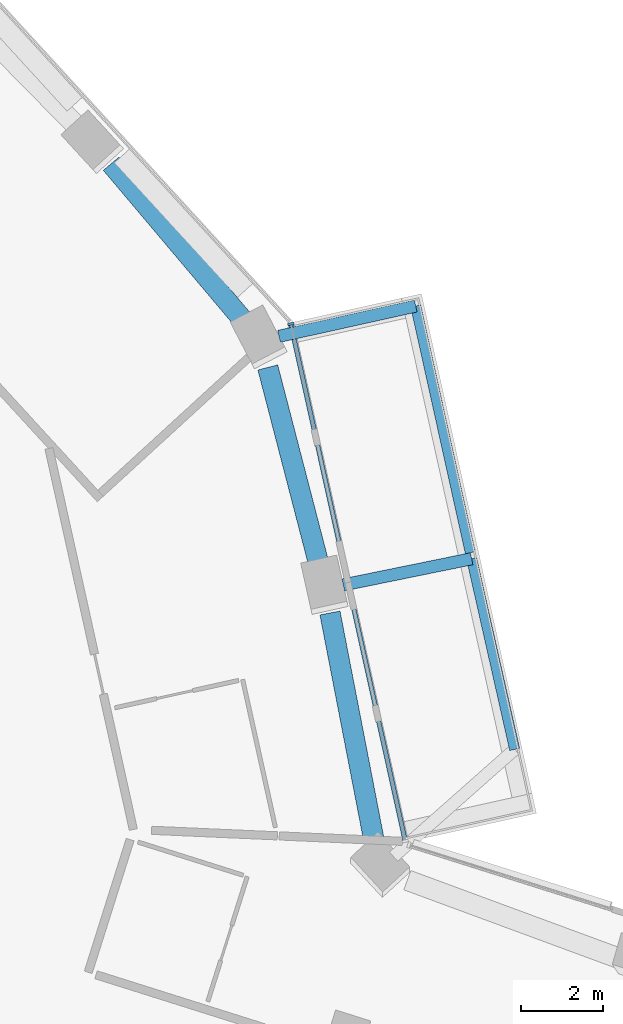
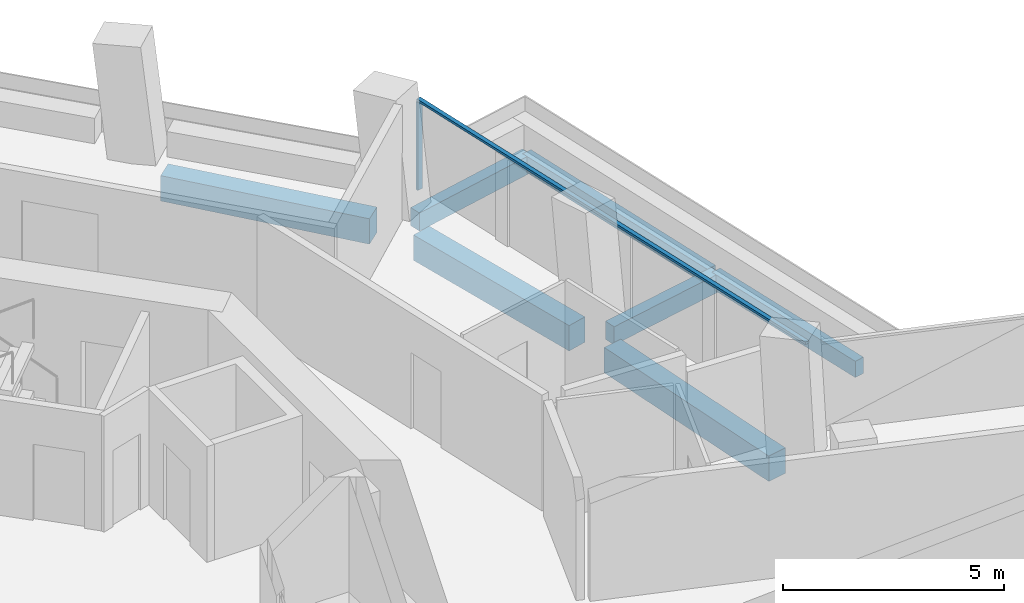
# One storey, part 8 of 24: 7 beams, 2 members, 1 element without a shape of its own.
"""IFC4 building model written with IfcOpenShell, lengths in metres."""

from ifc_helpers import new_model, si_unit, direction, frame, origin, origin_2d, place, context, subcontext, project, spatial, rectangle, extrude, material, layer, layer_set, material_profile, profile_set, type_object, element, aggregate, save


model = new_model("IFC4")

# Units and contexts
model_context = context("Model", 3, precision=1e-05, world=origin(), true_north=direction((0.0, 1.0)))
body_context = subcontext(model_context, "Body", "Model", "MODEL_VIEW")
ifc_project = project(units=[si_unit("LENGTHUNIT", "METRE"), si_unit("AREAUNIT", "SQUARE_METRE"), si_unit("VOLUMEUNIT", "CUBIC_METRE"), si_unit("PLANEANGLEUNIT", "RADIAN"), si_unit("MASSUNIT", "GRAM", prefix="KILO")], contexts=[model_context])

# Site, building, storey
site_placement = place(None, origin())
site = spatial("IfcSite", under=ifc_project, at=site_placement, CompositionType="ELEMENT")
building_placement = place(site_placement, origin())
building = spatial("IfcBuilding", under=site, at=building_placement, Name="Verdalira Terraces Hotel", CompositionType="ELEMENT")
storey_placement = place(building_placement, frame((0.0, 0.0, 86.0)))
storey = spatial("IfcBuildingStorey", under=building, at=storey_placement, Name="L19", CompositionType="ELEMENT", Elevation=86.0)

# Beams
ifc_material_1 = material(Name="Concrete C40", Category="concrete")
ifc_material_profile_1 = material_profile(ifc_material_1, rectangle(XDim=0.300049, YDim=0.5, at=origin_2d()), Name="RC 300X500")
ifc_profile_set_1 = profile_set([ifc_material_profile_1], Name="Concrete C40")
beam_type_1 = type_object("IfcBeamType", Name="Balcony cantilever beam RC 300X500 C40", PredefinedType="BEAM", material=ifc_profile_set_1)
beam_1_placement = place(storey_placement, frame((23.496582, 5.16748, -0.560059), z_axis=(0.979843383, 0.199767229, 0.0), x_axis=(-0.199767229, 0.979843383, 0.0)))
element("IfcBeam", 1, at=beam_1_placement, inside=storey, type_object=beam_type_1, Name="Balcony cantilever beam R39-2", PredefinedType="BEAM", context=body_context, shape_type="SweptSolid", body=[
    extrude(rectangle(XDim=0.300049, YDim=0.5, at=origin_2d()), origin(), (0.0, 0.0, 1.0), 3.200684),
])
beam_2_placement = place(storey_placement, frame((21.92749, 11.241211, -0.560059), z_axis=(0.976369814, 0.216106422, 0.0), x_axis=(-0.216106422, 0.976369814, 0.0)))
element("IfcBeam", 2, at=beam_2_placement, inside=storey, type_object=beam_type_1, Name="Balcony cantilever beam R39-3", PredefinedType="BEAM", context=body_context, shape_type="SweptSolid", body=[
    extrude(rectangle(XDim=0.300049, YDim=0.5, at=origin_2d()), origin(), (0.0, 0.0, 1.0), 3.419678),
])
ifc_material_2 = material(Name="Concrete C40", Category="concrete")
ifc_material_profile_2 = material_profile(ifc_material_2, rectangle(XDim=0.25, YDim=0.449951, at=origin_2d()), Name="RC 250X450")
ifc_profile_set_2 = profile_set([ifc_material_profile_2], Name="Concrete C40")
beam_type_2 = type_object("IfcBeamType", Name="Balcony edge beam RC 250X450 C40", PredefinedType="BEAM", material=ifc_profile_set_2)
beam_3_placement = place(storey_placement, frame((27.683838, 1.147705, -0.534912), z_axis=(-0.220052204, 0.975488097, 0.0), x_axis=(-0.975488097, -0.220052204, 0.0)))
element("IfcBeam", 3, at=beam_3_placement, inside=storey, type_object=beam_type_2, Name="Balcony edge beam R39-1", PredefinedType="BEAM", context=body_context, shape_type="SweptSolid", body=[
    extrude(rectangle(XDim=0.25, YDim=0.449951, at=origin_2d()), origin(), (0.0, 0.0, 1.0), 4.776367),
])
beam_4_placement = place(storey_placement, frame((26.600342, 5.953369, -0.534912), z_axis=(-0.216109571, 0.976369117, 0.0), x_axis=(-0.976369117, -0.216109571, 0.0)))
element("IfcBeam", 4, at=beam_4_placement, inside=storey, type_object=beam_type_2, Name="Balcony edge beam R39-2", PredefinedType="BEAM", context=body_context, shape_type="SweptSolid", body=[
    extrude(rectangle(XDim=0.25, YDim=0.449951, at=origin_2d()), origin(), (0.0, 0.0, 1.0), 6.172607),
])

# Curtain wall, members
ifc_material_3 = material(Name="Clear glass", Category="glass")
ifc_layer = layer(ifc_material_3, 0.14990234375)
ifc_layer_set = layer_set([ifc_layer], Name="CW1 curtain wall")
curtain_wall_type = type_object("IfcCurtainWallType", Name="CW1 curtain wall", PredefinedType="NOTDEFINED", material=ifc_layer_set)
curtain_wall_placement = place(storey_placement, origin())
curtain_wall = element("IfcCurtainWall", 5, at=curtain_wall_placement, inside=storey, type_object=curtain_wall_type, Name="CW1 curtain wall L19 edge 39", PredefinedType="NOTDEFINED")
ifc_material_4 = material(Name="Terracotta frame", Category="masonry")
ifc_material_profile_3 = material_profile(ifc_material_4, rectangle(XDim=0.060059, YDim=0.149902, at=origin_2d()), Name="MU 60x150")
ifc_profile_set_3 = profile_set([ifc_material_profile_3], Name="Terracotta frame")
member_type_1 = type_object("IfcMemberType", Name="CW1 mullion 60x150", PredefinedType="MULLION", material=ifc_profile_set_3)
member_1_placement = place(storey_placement, frame((22.213867, 11.543213, 0.0), z_axis=(0.0, 0.0, 1.0), x_axis=(-0.216098809, 0.976371499, 0.0)))
member_1 = element("IfcMember", 6, at=member_1_placement, type_object=member_type_1, Name="CW1 mullion", PredefinedType="MULLION", context=body_context, shape_type="SweptSolid", body=[
    extrude(rectangle(XDim=0.060059, YDim=0.149902, at=origin_2d()), origin(), (0.0, 0.0, 1.0), 2.425049),
])
ifc_material_5 = material(Name="Terracotta frame", Category="masonry")
ifc_material_profile_4 = material_profile(ifc_material_5, rectangle(XDim=0.110107, YDim=0.064941, at=origin_2d()), Name="TR 65x110")
ifc_profile_set_4 = profile_set([ifc_material_profile_4], Name="Terracotta frame")
member_type_2 = type_object("IfcMemberType", Name="CW1 transom 65x110", PredefinedType="USERDEFINED", material=ifc_profile_set_4)
member_2_placement = place(storey_placement, frame((25.016602, -1.120361, 2.45752), z_axis=(-0.216101188, 0.976370973, 0.0), x_axis=(-0.976370973, -0.216101188, 0.0)))
member_2 = element("IfcMember", 7, at=member_2_placement, type_object=member_type_2, Name="CW1 transom", ObjectType="TRANSOM", PredefinedType="USERDEFINED", context=body_context, shape_type="SweptSolid", body=[
    extrude(rectangle(XDim=0.110107, YDim=0.064941, at=origin_2d()), origin(), (0.0, 0.0, 1.0), 13.0),
])
aggregate(curtain_wall, [member_1, member_2])

# Beams
ifc_material_6 = material(Name="Concrete C70", Category="concrete")
ifc_material_profile_5 = material_profile(ifc_material_6, rectangle(XDim=0.5, YDim=0.699951, at=origin_2d()), Name="RC 500X700")
ifc_profile_set_5 = profile_set([ifc_material_profile_5], Name="Concrete C70")
beam_type_3 = type_object("IfcBeamType", Name="Spandrel beam RC 500X700 C70", PredefinedType="SPANDREL", material=ifc_profile_set_5)
beam_5_placement = place(storey_placement, frame((24.249512, -1.086914, -0.659912), z_axis=(-0.190078117, 0.981768969, 0.0), x_axis=(-0.981768969, -0.190078117, 0.0)))
element("IfcBeam", 8, at=beam_5_placement, inside=storey, type_object=beam_type_3, Name="Spandrel beam B24", PredefinedType="SPANDREL", context=body_context, shape_type="SweptSolid", body=[
    extrude(rectangle(XDim=0.5, YDim=0.699951, at=origin_2d()), origin(), (0.0, 0.0, 1.0), 5.672119),
])
beam_6_placement = place(storey_placement, frame((22.911133, 5.629395, -0.659912), z_axis=(-0.251190356, 0.967937707, 0.0), x_axis=(-0.967937707, -0.251190356, 0.0)))
element("IfcBeam", 9, at=beam_6_placement, inside=storey, type_object=beam_type_3, Name="Spandrel beam B25", PredefinedType="SPANDREL", context=body_context, shape_type="SweptSolid", body=[
    extrude(rectangle(XDim=0.5, YDim=0.699951, at=origin_2d()), origin(), (0.0, 0.0, 1.0), 5.012207),
])
beam_7_placement = place(storey_placement, frame((21.058594, 11.623779, -0.659912), z_axis=(-0.644883378, 0.764280988, 0.0), x_axis=(-0.764280988, -0.644883378, 0.0)))
element("IfcBeam", 10, at=beam_7_placement, inside=storey, type_object=beam_type_3, Name="Spandrel beam B26", PredefinedType="SPANDREL", context=body_context, shape_type="SweptSolid", body=[
    extrude(rectangle(XDim=0.5, YDim=0.699951, at=origin_2d()), origin(), (0.0, 0.0, 1.0), 5.015869),
])

save(model, "model.ifc")
